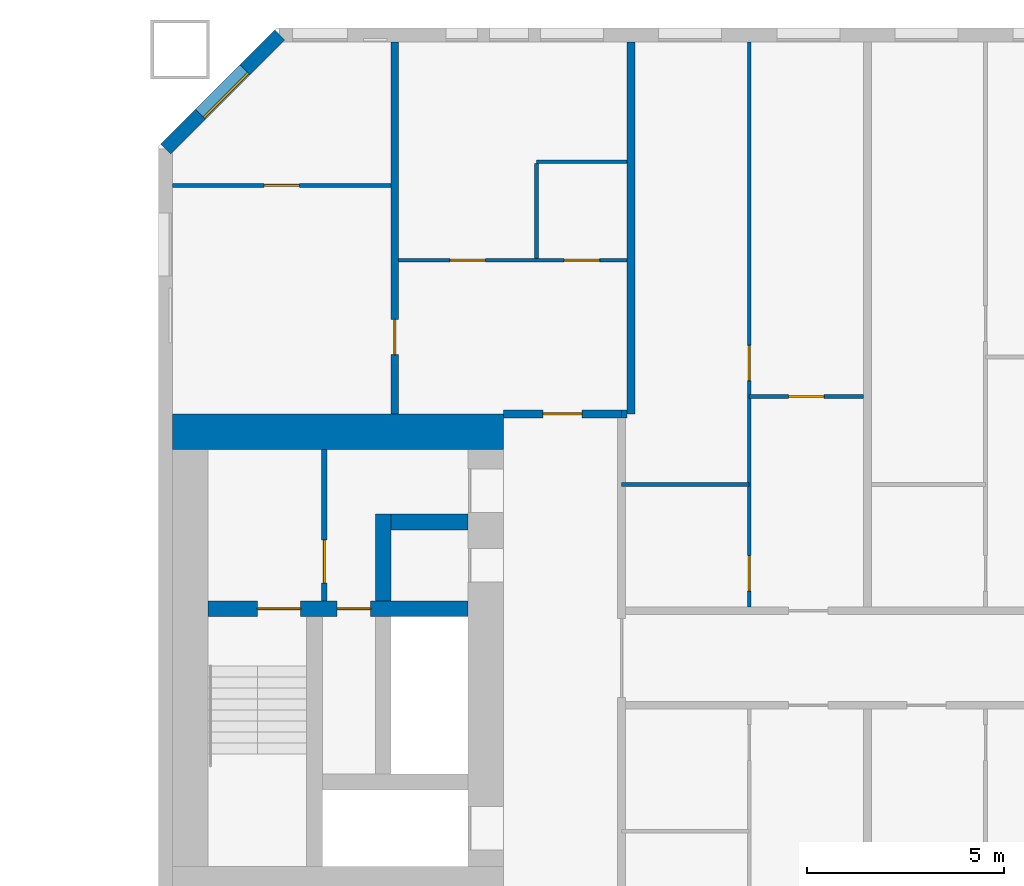
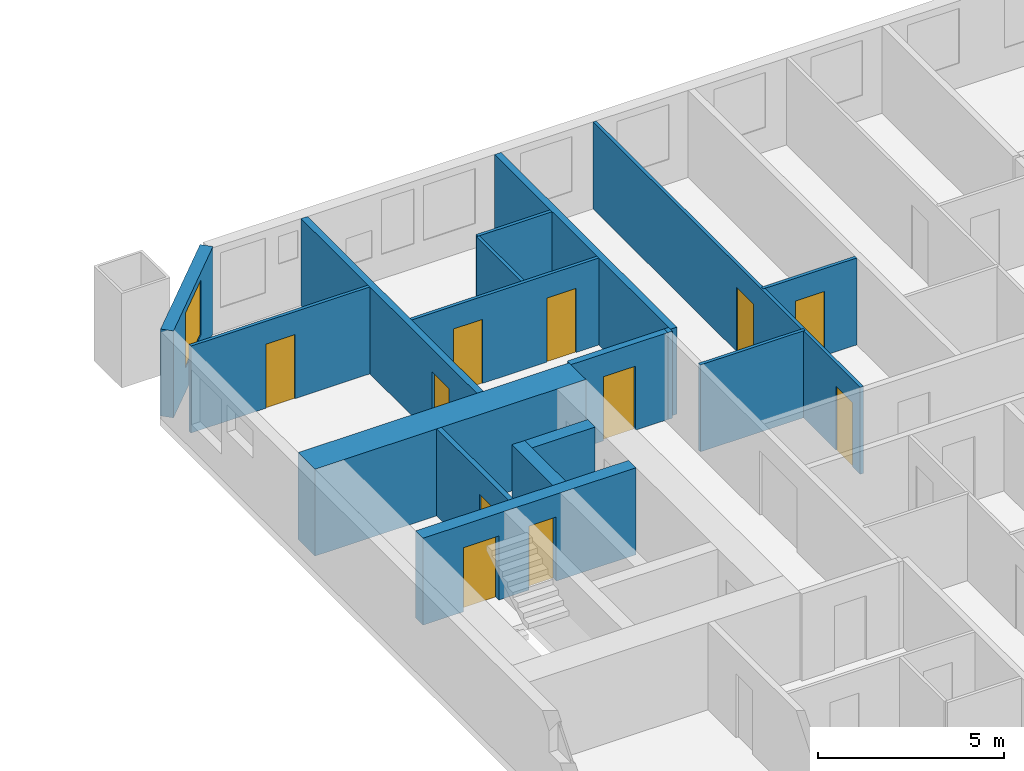
# One storey, part 10 of 17: 17 walls, 11 doors, 1 window, 12 openings.
"""IFC4 building model written with IfcOpenShell, lengths in metres."""

from ifc_helpers import new_model, si_unit, direction, frame, frame_2d, origin, place, context, subcontext, project, spatial, rectangle, extrude, material, layer, layer_set, type_object, element, fill, save


model = new_model("IFC4")

# Units and contexts
model_context = context("Model", 3, precision=1e-05, world=origin(), true_north=direction((0.0, 1.0)))
body_context = subcontext(model_context, "Body", "Model", "MODEL_VIEW")
ifc_project = project(units=[si_unit("LENGTHUNIT", "METRE"), si_unit("AREAUNIT", "SQUARE_METRE"), si_unit("VOLUMEUNIT", "CUBIC_METRE"), si_unit("PLANEANGLEUNIT", "RADIAN"), si_unit("MASSUNIT", "GRAM", prefix="KILO")], contexts=[model_context])

# Site, building, storey
site_placement = place(None, origin())
site = spatial("IfcSite", under=ifc_project, at=site_placement, CompositionType="ELEMENT")
building_placement = place(site_placement, origin())
building = spatial("IfcBuilding", under=site, at=building_placement, Name="Tuart Gate Housing", CompositionType="ELEMENT")
storey_placement = place(building_placement, frame((0.0, 0.0, 22.60009765625)))
storey = spatial("IfcBuildingStorey", under=building, at=storey_placement, Name="L05", CompositionType="ELEMENT", Elevation=22.60009765625)

# Wall, opening, window
ifc_material_1 = material(Name="Brick", Category="masonry")
ifc_layer_1 = layer(ifc_material_1, 0.360107421875)
ifc_layer_set_1 = layer_set([ifc_layer_1], Name="Brick pier and spandrel wall 360")
wall_type_1 = type_object("IfcWallType", Name="Brick pier and spandrel wall 360", PredefinedType="STANDARD", material=ifc_layer_set_1)
wall_1_placement = place(storey_placement, frame((134.07470703125, 85.820068359375, 0.0), z_axis=(0.0, 0.0, 1.0), x_axis=(-0.707106781187, -0.707106781187, 0.0)))
wall_1 = element("IfcWall", 1, at=wall_1_placement, inside=storey, type_object=wall_type_1, Name="External wall B-NW L05", PredefinedType="STANDARD", context=body_context, shape_type="SweptSolid", body=[
    extrude(rectangle(XDim=4.09375, YDim=0.360107421875, at=frame_2d((2.046875, 0.0))), origin(), (0.0, 0.0, 1.0), 2.849853515625),
])
opening_1_placement = place(wall_1_placement, frame((1.2470703125, 0.0, 0.800048828125)))
opening_1 = element("IfcOpeningElement", 2, at=opening_1_placement, cuts=wall_1, Name="Opening W1", PredefinedType="OPENING", context=body_context, shape_type="SweptSolid", body=[
    extrude(rectangle(XDim=1.60009765625, YDim=1.800048828125, at=frame_2d((0.800048828125, 0.89990234375))), frame((0.0, 0.18994140625, 0.0), z_axis=(0.0, -1.0, 0.0), x_axis=(1.0, 0.0, 0.0)), (0.0, 0.0, 1.0), 0.380126953125),
])
ifc_material_2 = material(Name="Aluminium frame with clear glass", Category="aluminium")
window_type = type_object("IfcWindowType", Name="Punched window 1600 x 1800", PartitioningType="SINGLE_PANEL", PredefinedType="WINDOW", material=ifc_material_2)
window_placement = place(opening_1_placement, origin())
window = element("IfcWindow", 3, at=window_placement, inside=storey, type_object=window_type, Name="Window W1", OverallHeight=1.800048828125, OverallWidth=1.60009765625, PartitioningType="SINGLE_PANEL", PredefinedType="WINDOW", context=body_context, shape_type="SweptSolid", body=[
    extrude(rectangle(XDim=1.60009765625, YDim=1.800048828125, at=frame_2d((0.800048828125, 0.89990234375))), frame((0.0, 0.150146484375, 0.0), z_axis=(0.0, -1.0, 0.0), x_axis=(1.0, 0.0, 0.0)), (0.0, 0.0, 1.0), 0.06005859375),
])
fill(opening_1, window)

# Wall, opening, door
ifc_material_3 = material(Name="Plasterboard partition")
ifc_layer_2 = layer(ifc_material_3, 0.14990234375)
ifc_layer_set_2 = layer_set([ifc_layer_2], Name="Core partition 150")
wall_type_2 = type_object("IfcWallType", Name="Core partition 150", PredefinedType="PARTITIONING", material=ifc_layer_set_2)
wall_2_placement = place(storey_placement, frame((135.2099609375, 71.449951171875, 0.0), z_axis=(0.0, 0.0, 1.0), x_axis=(0.0, 1.0, 0.0)))
wall_2 = element("IfcWall", 4, at=wall_2_placement, inside=storey, type_object=wall_type_2, Name="Core partition BG.6", PredefinedType="PARTITIONING", context=body_context, shape_type="SweptSolid", body=[
    extrude(rectangle(XDim=3.85009765625, YDim=0.14990234375, at=frame_2d((1.925048828125, 0.0))), origin(), (0.0, 0.0, 1.0), 2.849853515625),
])
opening_2_placement = place(wall_2_placement, frame((0.449951171875, 0.0, 0.0)))
opening_2 = element("IfcOpeningElement", 5, at=opening_2_placement, cuts=wall_2, Name="Opening D429", PredefinedType="OPENING", context=body_context, shape_type="SweptSolid", body=[
    extrude(rectangle(XDim=1.10009765625, YDim=2.10009765625, at=frame_2d((0.550048828125, 1.050048828125))), frame((0.0, 0.0849609375, 0.0), z_axis=(0.0, -1.0, 0.0), x_axis=(1.0, 0.0, 0.0)), (0.0, 0.0, 1.0), 0.169921875),
])
ifc_material_4 = material(Name="Steel fire door", Category="steel")
door_type_1 = type_object("IfcDoorType", Name="Lobby door 1100 x 2100", OperationType="SINGLE_SWING_LEFT", PredefinedType="DOOR", material=ifc_material_4)
door_1_placement = place(opening_2_placement, origin())
door_1 = element("IfcDoor", 6, at=door_1_placement, inside=storey, type_object=door_type_1, Name="Smoke lobby door BG.KD", OperationType="SINGLE_SWING_LEFT", OverallHeight=2.10009765625, OverallWidth=1.10009765625, PredefinedType="DOOR", context=body_context, shape_type="SweptSolid", body=[
    extrude(rectangle(XDim=1.10009765625, YDim=2.10009765625, at=frame_2d((0.550048828125, 1.050048828125))), frame((0.0, 0.02490234375, 0.0), z_axis=(0.0, -1.0, 0.0), x_axis=(1.0, 0.0, 0.0)), (0.0, 0.0, 1.0), 0.050048828125),
])
fill(opening_2, door_1)

# Wall, openings, doors
ifc_material_5 = material(Name="Concrete C60", Category="concrete")
ifc_layer_3 = layer(ifc_material_5, 0.39990234375)
ifc_layer_set_3 = layer_set([ifc_layer_3], Name="Core wall 400 C60")
wall_type_3 = type_object("IfcWallType", Name="Core wall 400 C60", PredefinedType="SHEAR", material=ifc_layer_set_3)
wall_3_placement = place(storey_placement, frame((138.860107421875, 71.25, 0.0), z_axis=(0.0, 0.0, 1.0), x_axis=(-1.0, 0.0, 0.0)))
wall_3 = element("IfcWall", 7, at=wall_3_placement, inside=storey, type_object=wall_type_3, Name="Core wall BG.2", PredefinedType="SHEAR", context=body_context, shape_type="SweptSolid", body=[
    extrude(rectangle(XDim=6.60009765625, YDim=0.39990234375, at=frame_2d((3.300048828125, 0.0))), origin(), (0.0, 0.0, 1.0), 2.849853515625),
])
opening_3_placement = place(wall_3_placement, frame((4.25, 0.0, 0.0)))
opening_3 = element("IfcOpeningElement", 8, at=opening_3_placement, cuts=wall_3, Name="Opening D431", PredefinedType="OPENING", context=body_context, shape_type="SweptSolid", body=[
    extrude(rectangle(XDim=1.10009765625, YDim=2.10009765625, at=frame_2d((0.550048828125, 1.050048828125))), frame((0.0, 0.2099609375, 0.0), z_axis=(0.0, -1.0, 0.0), x_axis=(1.0, 0.0, 0.0)), (0.0, 0.0, 1.0), 0.419921875),
])
opening_4_placement = place(wall_3_placement, frame((2.47509765625, 0.0, 0.0)))
opening_4 = element("IfcOpeningElement", 9, at=opening_4_placement, cuts=wall_3, Name="Opening D430", PredefinedType="OPENING", context=body_context, shape_type="SweptSolid", body=[
    extrude(rectangle(XDim=0.85009765625, YDim=2.10009765625, at=frame_2d((0.425048828125, 1.050048828125))), frame((0.0, 0.2099609375, 0.0), z_axis=(0.0, -1.0, 0.0), x_axis=(1.0, 0.0, 0.0)), (0.0, 0.0, 1.0), 0.419921875),
])
ifc_material_6 = material(Name="Steel fire door", Category="steel")
door_type_2 = type_object("IfcDoorType", Name="Riser door 850 x 2100", OperationType="SINGLE_SWING_LEFT", PredefinedType="DOOR", material=ifc_material_6)
door_2_placement = place(opening_4_placement, origin())
door_2 = element("IfcDoor", 10, at=door_2_placement, inside=storey, type_object=door_type_2, Name="Service room door BG.W1", OperationType="SINGLE_SWING_LEFT", OverallHeight=2.10009765625, OverallWidth=0.85009765625, PredefinedType="DOOR", context=body_context, shape_type="SweptSolid", body=[
    extrude(rectangle(XDim=0.85009765625, YDim=2.10009765625, at=frame_2d((0.425048828125, 1.050048828125))), frame((0.0, 0.02490234375, 0.0), z_axis=(0.0, -1.0, 0.0), x_axis=(1.0, 0.0, 0.0)), (0.0, 0.0, 1.0), 0.050048828125),
])
fill(opening_4, door_2)
ifc_material_7 = material(Name="Steel fire door", Category="steel")
door_type_3 = type_object("IfcDoorType", Name="Stair door 1100 x 2100", OperationType="SINGLE_SWING_LEFT", PredefinedType="DOOR", material=ifc_material_7)
door_3_placement = place(opening_3_placement, origin())
door_3 = element("IfcDoor", 11, at=door_3_placement, inside=storey, type_object=door_type_3, Name="Stair door BG.SD", OperationType="SINGLE_SWING_LEFT", OverallHeight=2.10009765625, OverallWidth=1.10009765625, PredefinedType="DOOR", context=body_context, shape_type="SweptSolid", body=[
    extrude(rectangle(XDim=1.10009765625, YDim=2.10009765625, at=frame_2d((0.550048828125, 1.050048828125))), frame((0.0, 0.02490234375, 0.0), z_axis=(0.0, -1.0, 0.0), x_axis=(1.0, 0.0, 0.0)), (0.0, 0.0, 1.0), 0.050048828125),
])
fill(opening_3, door_3)

# Walls
wall_4_placement = place(storey_placement, frame((138.860107421875, 73.449951171875, 0.0), z_axis=(0.0, 0.0, 1.0), x_axis=(-1.0, 0.0, 0.0)))
element("IfcWall", 12, at=wall_4_placement, inside=storey, type_object=wall_type_3, Name="Core wall BG.3", PredefinedType="SHEAR", context=body_context, shape_type="SweptSolid", body=[
    extrude(rectangle(XDim=1.9501953125, YDim=0.39990234375, at=frame_2d((0.97509765625, 0.0))), origin(), (0.0, 0.0, 1.0), 2.849853515625),
])
wall_5_placement = place(storey_placement, frame((136.7099609375, 71.449951171875, 0.0), z_axis=(0.0, 0.0, 1.0), x_axis=(0.0, 1.0, 0.0)))
element("IfcWall", 13, at=wall_5_placement, inside=storey, type_object=wall_type_3, Name="Core wall BG.5", PredefinedType="SHEAR", context=body_context, shape_type="SweptSolid", body=[
    extrude(rectangle(XDim=2.199951171875, YDim=0.39990234375, at=frame_2d((1.10009765625, 0.0))), origin(), (0.0, 0.0, 1.0), 2.849853515625),
])
ifc_material_8 = material(Name="Concrete C60", Category="concrete")
ifc_layer_4 = layer(ifc_material_8, 0.89990234375)
ifc_layer_set_4 = layer_set([ifc_layer_4], Name="Core wall 900 C60")
wall_type_4 = type_object("IfcWallType", Name="Core wall 900 C60", PredefinedType="SHEAR", material=ifc_layer_set_4)
wall_6_placement = place(storey_placement, frame((139.760009765625, 75.75, 0.0), z_axis=(0.0, 0.0, 1.0), x_axis=(-1.0, 0.0, 0.0)))
element("IfcWall", 14, at=wall_6_placement, inside=storey, type_object=wall_type_4, Name="Core wall BG north", PredefinedType="SHEAR", context=body_context, shape_type="SweptSolid", body=[
    extrude(rectangle(XDim=8.39990234375, YDim=0.89990234375, at=frame_2d((4.199951171875, 0.0))), origin(), (0.0, 0.0, 1.0), 2.849853515625),
])

# Wall, opening, door
ifc_material_9 = material(Name="Concrete masonry 15 MPa", Category="masonry")
ifc_layer_5 = layer(ifc_material_9, 0.199951171875)
ifc_layer_set_5 = layer_set([ifc_layer_5], Name="Enclosure wall masonry 200")
wall_type_5 = type_object("IfcWallType", Name="Enclosure wall masonry 200", PredefinedType="PARTITIONING", material=ifc_layer_set_5)
wall_7_placement = place(storey_placement, frame((139.760009765625, 76.199951171875, 0.0), z_axis=(0.0, 0.0, 1.0), x_axis=(1.0, 0.0, 0.0)))
wall_7 = element("IfcWall", 15, at=wall_7_placement, inside=storey, type_object=wall_type_5, Name="Enclosure wall masonry 200", PredefinedType="PARTITIONING", context=body_context, shape_type="SweptSolid", body=[
    extrude(rectangle(XDim=3.0, YDim=0.199951171875, at=frame_2d((1.5, 0.0))), origin(), (0.0, 0.0, 1.0), 2.849853515625),
])
opening_5_placement = place(wall_7_placement, frame((1.0, 0.0, 0.0)))
opening_5 = element("IfcOpeningElement", 16, at=opening_5_placement, cuts=wall_7, Name="Opening D426", PredefinedType="OPENING", context=body_context, shape_type="SweptSolid", body=[
    extrude(rectangle(XDim=1.0, YDim=2.10009765625, at=frame_2d((0.5, 1.050048828125))), frame((0.0, 0.10986328125, 0.0), z_axis=(0.0, -1.0, 0.0), x_axis=(1.0, 0.0, 0.0)), (0.0, 0.0, 1.0), 0.219970703125),
])
ifc_material_10 = material(Name="Timber door leaf in steel frame", Category="steel")
door_type_4 = type_object("IfcDoorType", Name="Flat entrance door 1000 RH", OperationType="SINGLE_SWING_RIGHT", PredefinedType="DOOR", material=ifc_material_10)
door_4_placement = place(opening_5_placement, origin())
door_4 = element("IfcDoor", 17, at=door_4_placement, inside=storey, type_object=door_type_4, Name="Flat entrance door", OperationType="SINGLE_SWING_RIGHT", OverallHeight=2.10009765625, OverallWidth=1.0, PredefinedType="DOOR", context=body_context, shape_type="SweptSolid", body=[
    extrude(rectangle(XDim=1.0, YDim=2.10009765625, at=frame_2d((0.5, 1.050048828125))), frame((0.0, 0.02490234375, 0.0), z_axis=(0.0, -1.0, 0.0), x_axis=(1.0, 0.0, 0.0)), (0.0, 0.0, 1.0), 0.050048828125),
])
fill(opening_5, door_4)

# Wall
ifc_material_11 = material(Name="Gypsum board on steel studs", Category="steel")
ifc_layer_6 = layer(ifc_material_11, 0.10009765625)
ifc_layer_set_6 = layer_set([ifc_layer_6], Name="Partition 100")
wall_type_6 = type_object("IfcWallType", Name="Partition 100", PredefinedType="PARTITIONING", material=ifc_layer_set_6)
wall_8_placement = place(storey_placement, frame((142.760009765625, 74.39990234375, 0.0), z_axis=(0.0, 0.0, 1.0), x_axis=(1.0, 0.0, 0.0)))
element("IfcWall", 18, at=wall_8_placement, inside=storey, type_object=wall_type_6, Name="Partition 100", PredefinedType="PARTITIONING", context=body_context, shape_type="SweptSolid", body=[
    extrude(rectangle(XDim=3.239990234375, YDim=0.10009765625, at=frame_2d((1.6201171875, 0.0))), origin(), (0.0, 0.0, 1.0), 2.849853515625),
])

# Wall, opening, door
wall_9_placement = place(storey_placement, frame((146.0, 76.639892578125, 0.0), z_axis=(0.0, 0.0, 1.0), x_axis=(1.0, 0.0, 0.0)))
wall_9 = element("IfcWall", 19, at=wall_9_placement, inside=storey, type_object=wall_type_6, Name="Partition 100", PredefinedType="PARTITIONING", context=body_context, shape_type="SweptSolid", body=[
    extrude(rectangle(XDim=2.89990234375, YDim=0.10009765625, at=frame_2d((1.449951171875, 0.0))), origin(), (0.0, 0.0, 1.0), 2.849853515625),
])
opening_6_placement = place(wall_9_placement, frame((1.0, 0.0, 0.0)))
opening_6 = element("IfcOpeningElement", 20, at=opening_6_placement, cuts=wall_9, Name="Opening D425", PredefinedType="OPENING", context=body_context, shape_type="SweptSolid", body=[
    extrude(rectangle(XDim=0.89990234375, YDim=2.10009765625, at=frame_2d((0.449951171875, 1.050048828125))), frame((0.0, 0.06005859375, 0.0), z_axis=(0.0, -1.0, 0.0), x_axis=(1.0, 0.0, 0.0)), (0.0, 0.0, 1.0), 0.1201171875),
])
ifc_material_12 = material(Name="Timber door leaf in steel frame", Category="steel")
door_type_5 = type_object("IfcDoorType", Name="Internal door 900 RH", OperationType="SINGLE_SWING_RIGHT", PredefinedType="DOOR", material=ifc_material_12)
door_5_placement = place(opening_6_placement, frame((0.89990234375, 0.0, 0.0), z_axis=(0.0, 0.0, 1.0), x_axis=(-1.0, 0.0, 0.0)))
door_5 = element("IfcDoor", 21, at=door_5_placement, inside=storey, type_object=door_type_5, Name="Internal door", OperationType="SINGLE_SWING_RIGHT", OverallHeight=2.10009765625, OverallWidth=0.89990234375, PredefinedType="DOOR", context=body_context, shape_type="SweptSolid", body=[
    extrude(rectangle(XDim=0.89990234375, YDim=2.10009765625, at=frame_2d((0.449951171875, 1.050048828125))), frame((0.0, 0.025146484375, 0.0), z_axis=(0.0, -1.0, 0.0), x_axis=(1.0, 0.0, 0.0)), (0.0, 0.0, 1.0), 0.050048828125),
])
fill(opening_6, door_5)

# Wall, openings, doors
wall_10_placement = place(storey_placement, frame((137.10009765625, 80.10009765625, 0.0), z_axis=(0.0, 0.0, 1.0), x_axis=(1.0, 0.0, 0.0)))
wall_10 = element("IfcWall", 22, at=wall_10_placement, inside=storey, type_object=wall_type_6, Name="Partition 100", PredefinedType="PARTITIONING", context=body_context, shape_type="SweptSolid", body=[
    extrude(rectangle(XDim=5.7998046875, YDim=0.10009765625, at=frame_2d((2.89990234375, 0.0))), origin(), (0.0, 0.0, 1.0), 2.849853515625),
])
opening_7_placement = place(wall_10_placement, frame((1.300048828125, 0.0, 0.0)))
opening_7 = element("IfcOpeningElement", 23, at=opening_7_placement, cuts=wall_10, Name="Opening D417", PredefinedType="OPENING", context=body_context, shape_type="SweptSolid", body=[
    extrude(rectangle(XDim=0.89990234375, YDim=2.10009765625, at=frame_2d((0.449951171875, 1.050048828125))), frame((0.0, 0.06005859375, 0.0), z_axis=(0.0, -1.0, 0.0), x_axis=(1.0, 0.0, 0.0)), (0.0, 0.0, 1.0), 0.1201171875),
])
opening_8_placement = place(wall_10_placement, frame((4.199951171875, 0.0, 0.0)))
opening_8 = element("IfcOpeningElement", 24, at=opening_8_placement, cuts=wall_10, Name="Opening D416", PredefinedType="OPENING", context=body_context, shape_type="SweptSolid", body=[
    extrude(rectangle(XDim=0.89990234375, YDim=2.10009765625, at=frame_2d((0.449951171875, 1.050048828125))), frame((0.0, 0.06005859375, 0.0), z_axis=(0.0, -1.0, 0.0), x_axis=(1.0, 0.0, 0.0)), (0.0, 0.0, 1.0), 0.1201171875),
])
ifc_material_13 = material(Name="Timber door leaf in steel frame", Category="steel")
door_type_6 = type_object("IfcDoorType", Name="Bathroom door 900", OperationType="SINGLE_SWING_LEFT", PredefinedType="DOOR", material=ifc_material_13)
door_6_placement = place(opening_8_placement, origin())
door_6 = element("IfcDoor", 25, at=door_6_placement, inside=storey, type_object=door_type_6, Name="Bathroom door", OperationType="SINGLE_SWING_LEFT", OverallHeight=2.10009765625, OverallWidth=0.89990234375, PredefinedType="DOOR", context=body_context, shape_type="SweptSolid", body=[
    extrude(rectangle(XDim=0.89990234375, YDim=2.10009765625, at=frame_2d((0.449951171875, 1.050048828125))), frame((0.0, 0.02490234375, 0.0), z_axis=(0.0, -1.0, 0.0), x_axis=(1.0, 0.0, 0.0)), (0.0, 0.0, 1.0), 0.050048828125),
])
fill(opening_8, door_6)
door_7_placement = place(opening_7_placement, origin())
door_7 = element("IfcDoor", 26, at=door_7_placement, inside=storey, type_object=door_type_5, Name="Internal door", OperationType="SINGLE_SWING_RIGHT", OverallHeight=2.10009765625, OverallWidth=0.89990234375, PredefinedType="DOOR", context=body_context, shape_type="SweptSolid", body=[
    extrude(rectangle(XDim=0.89990234375, YDim=2.10009765625, at=frame_2d((0.449951171875, 1.050048828125))), frame((0.0, 0.02490234375, 0.0), z_axis=(0.0, -1.0, 0.0), x_axis=(1.0, 0.0, 0.0)), (0.0, 0.0, 1.0), 0.050048828125),
])
fill(opening_7, door_7)

# Wall, opening, door
wall_11_placement = place(storey_placement, frame((131.360107421875, 82.0, 0.0), z_axis=(0.0, 0.0, 1.0), x_axis=(1.0, 0.0, 0.0)))
wall_11 = element("IfcWall", 27, at=wall_11_placement, inside=storey, type_object=wall_type_6, Name="Partition 100", PredefinedType="PARTITIONING", context=body_context, shape_type="SweptSolid", body=[
    extrude(rectangle(XDim=5.539794921875, YDim=0.10009765625, at=frame_2d((2.77001953125, 0.0))), origin(), (0.0, 0.0, 1.0), 2.849853515625),
])
opening_9_placement = place(wall_11_placement, frame((2.320068359375, 0.0, 0.0)))
opening_9 = element("IfcOpeningElement", 28, at=opening_9_placement, cuts=wall_11, Name="Opening D414", PredefinedType="OPENING", context=body_context, shape_type="SweptSolid", body=[
    extrude(rectangle(XDim=0.89990234375, YDim=2.10009765625, at=frame_2d((0.449951171875, 1.050048828125))), frame((0.0, 0.06005859375, 0.0), z_axis=(0.0, -1.0, 0.0), x_axis=(1.0, 0.0, 0.0)), (0.0, 0.0, 1.0), 0.1201171875),
])
ifc_material_14 = material(Name="Timber door leaf in steel frame", Category="steel")
door_type_7 = type_object("IfcDoorType", Name="Internal door 900", OperationType="SINGLE_SWING_LEFT", PredefinedType="DOOR", material=ifc_material_14)
door_8_placement = place(opening_9_placement, origin())
door_8 = element("IfcDoor", 29, at=door_8_placement, inside=storey, type_object=door_type_7, Name="Internal door", OperationType="SINGLE_SWING_LEFT", OverallHeight=2.10009765625, OverallWidth=0.89990234375, PredefinedType="DOOR", context=body_context, shape_type="SweptSolid", body=[
    extrude(rectangle(XDim=0.89990234375, YDim=2.10009765625, at=frame_2d((0.449951171875, 1.050048828125))), frame((0.0, 0.02490234375, 0.0), z_axis=(0.0, -1.0, 0.0), x_axis=(1.0, 0.0, 0.0)), (0.0, 0.0, 1.0), 0.050048828125),
])
fill(opening_9, door_8)

# Walls
wall_12_placement = place(storey_placement, frame((140.60009765625, 82.60009765625, 0.0), z_axis=(0.0, 0.0, 1.0), x_axis=(1.0, 0.0, 0.0)))
element("IfcWall", 30, at=wall_12_placement, inside=storey, type_object=wall_type_6, Name="Partition 100", PredefinedType="PARTITIONING", context=body_context, shape_type="SweptSolid", body=[
    extrude(rectangle(XDim=2.2998046875, YDim=0.10009765625, at=frame_2d((1.14990234375, 0.0))), origin(), (0.0, 0.0, 1.0), 2.849853515625),
])
wall_13_placement = place(storey_placement, frame((140.60009765625, 80.14990234375, 0.0), z_axis=(0.0, 0.0, 1.0), x_axis=(0.0, 1.0, 0.0)))
element("IfcWall", 31, at=wall_13_placement, inside=storey, type_object=wall_type_6, Name="Partition 100", PredefinedType="PARTITIONING", context=body_context, shape_type="SweptSolid", body=[
    extrude(rectangle(XDim=2.400146484375, YDim=0.10009765625, at=frame_2d((1.2001953125, 0.0))), origin(), (0.0, 0.0, 1.0), 2.849853515625),
])

# Wall, openings, doors
wall_14_placement = place(storey_placement, frame((146.0, 71.300048828125, 0.0), z_axis=(0.0, 0.0, 1.0), x_axis=(0.0, 1.0, 0.0)))
wall_14 = element("IfcWall", 32, at=wall_14_placement, inside=storey, type_object=wall_type_6, Name="Partition 100", PredefinedType="PARTITIONING", context=body_context, shape_type="SweptSolid", body=[
    extrude(rectangle(XDim=14.33984375, YDim=0.10009765625, at=frame_2d((7.169921875, 0.0))), origin(), (0.0, 0.0, 1.0), 2.849853515625),
])
opening_10_placement = place(wall_14_placement, frame((5.739990234375, 0.0, 0.0)))
opening_10 = element("IfcOpeningElement", 33, at=opening_10_placement, cuts=wall_14, Name="Opening D421", PredefinedType="OPENING", context=body_context, shape_type="SweptSolid", body=[
    extrude(rectangle(XDim=0.89990234375, YDim=2.10009765625, at=frame_2d((0.449951171875, 1.050048828125))), frame((0.0, 0.06005859375, 0.0), z_axis=(0.0, -1.0, 0.0), x_axis=(1.0, 0.0, 0.0)), (0.0, 0.0, 1.0), 0.1201171875),
])
opening_11_placement = place(wall_14_placement, frame((0.39990234375, 0.0, 0.0)))
opening_11 = element("IfcOpeningElement", 34, at=opening_11_placement, cuts=wall_14, Name="Opening D420", PredefinedType="OPENING", context=body_context, shape_type="SweptSolid", body=[
    extrude(rectangle(XDim=0.89990234375, YDim=2.10009765625, at=frame_2d((0.449951171875, 1.050048828125))), frame((0.0, 0.06005859375, 0.0), z_axis=(0.0, -1.0, 0.0), x_axis=(1.0, 0.0, 0.0)), (0.0, 0.0, 1.0), 0.1201171875),
])
door_9_placement = place(opening_11_placement, origin())
door_9 = element("IfcDoor", 35, at=door_9_placement, inside=storey, type_object=door_type_6, Name="Bathroom door", OperationType="SINGLE_SWING_LEFT", OverallHeight=2.10009765625, OverallWidth=0.89990234375, PredefinedType="DOOR", context=body_context, shape_type="SweptSolid", body=[
    extrude(rectangle(XDim=0.89990234375, YDim=2.10009765625, at=frame_2d((0.449951171875, 1.050048828125))), frame((0.0, 0.02490234375, 0.0), z_axis=(0.0, -1.0, 0.0), x_axis=(1.0, 0.0, 0.0)), (0.0, 0.0, 1.0), 0.050048828125),
])
fill(opening_11, door_9)
door_10_placement = place(opening_10_placement, origin())
door_10 = element("IfcDoor", 36, at=door_10_placement, inside=storey, type_object=door_type_7, Name="Internal door", OperationType="SINGLE_SWING_LEFT", OverallHeight=2.10009765625, OverallWidth=0.89990234375, PredefinedType="DOOR", context=body_context, shape_type="SweptSolid", body=[
    extrude(rectangle(XDim=0.89990234375, YDim=2.10009765625, at=frame_2d((0.449951171875, 1.050048828125))), frame((0.0, 0.02490234375, 0.0), z_axis=(0.0, -1.0, 0.0), x_axis=(1.0, 0.0, 0.0)), (0.0, 0.0, 1.0), 0.050048828125),
])
fill(opening_10, door_10)

# Wall, opening, door
ifc_material_15 = material(Name="Concrete C40", Category="concrete")
ifc_layer_7 = layer(ifc_material_15, 0.199951171875)
ifc_layer_set_7 = layer_set([ifc_layer_7], Name="Party wall concrete C40 200")
wall_type_7 = type_object("IfcWallType", Name="Party wall concrete C40 200", PredefinedType="SOLIDWALL", material=ifc_layer_set_7)
wall_15_placement = place(storey_placement, frame((137.0, 76.199951171875, 0.0), z_axis=(0.0, 0.0, 1.0), x_axis=(0.0, 1.0, 0.0)))
wall_15 = element("IfcWall", 37, at=wall_15_placement, inside=storey, type_object=wall_type_7, Name="Party wall concrete C40 200", PredefinedType="SOLIDWALL", context=body_context, shape_type="SweptSolid", body=[
    extrude(rectangle(XDim=9.43994140625, YDim=0.199951171875, at=frame_2d((4.719970703125, 0.0))), origin(), (0.0, 0.0, 1.0), 2.849853515625),
])
opening_12_placement = place(wall_15_placement, frame((1.5, 0.0, 0.0)))
opening_12 = element("IfcOpeningElement", 38, at=opening_12_placement, cuts=wall_15, Name="Opening D415", PredefinedType="OPENING", context=body_context, shape_type="SweptSolid", body=[
    extrude(rectangle(XDim=0.89990234375, YDim=2.10009765625, at=frame_2d((0.449951171875, 1.050048828125))), frame((0.0, 0.10986328125, 0.0), z_axis=(0.0, -1.0, 0.0), x_axis=(1.0, 0.0, 0.0)), (0.0, 0.0, 1.0), 0.219970703125),
])
door_11_placement = place(opening_12_placement, frame((0.89990234375, 0.0, 0.0), z_axis=(0.0, 0.0, 1.0), x_axis=(-1.0, 0.0, 0.0)))
door_11 = element("IfcDoor", 39, at=door_11_placement, inside=storey, type_object=door_type_5, Name="Internal door", OperationType="SINGLE_SWING_RIGHT", OverallHeight=2.10009765625, OverallWidth=0.89990234375, PredefinedType="DOOR", context=body_context, shape_type="SweptSolid", body=[
    extrude(rectangle(XDim=0.89990234375, YDim=2.10009765625, at=frame_2d((0.449951171875, 1.050048828125))), frame((0.0, 0.025146484375, 0.0), z_axis=(0.0, -1.0, 0.0), x_axis=(1.0, 0.0, 0.0)), (0.0, 0.0, 1.0), 0.050048828125),
])
fill(opening_12, door_11)

# Walls
wall_16_placement = place(storey_placement, frame((143.0, 76.199951171875, 0.0), z_axis=(0.0, 0.0, 1.0), x_axis=(0.0, 1.0, 0.0)))
element("IfcWall", 40, at=wall_16_placement, inside=storey, type_object=wall_type_7, Name="Party wall concrete C40 200", PredefinedType="SOLIDWALL", context=body_context, shape_type="SweptSolid", body=[
    extrude(rectangle(XDim=9.43994140625, YDim=0.199951171875, at=frame_2d((4.719970703125, 0.0))), origin(), (0.0, 0.0, 1.0), 2.849853515625),
])
ifc_material_16 = material(Name="Concrete masonry 15 MPa", Category="masonry")
ifc_layer_8 = layer(ifc_material_16, 0.199951171875)
ifc_layer_set_8 = layer_set([ifc_layer_8], Name="Party wall masonry 200")
wall_type_8 = type_object("IfcWallType", Name="Party wall masonry 200", PredefinedType="PARTITIONING", material=ifc_layer_set_8)
wall_17_placement = place(storey_placement, frame((142.760009765625, 76.199951171875, 0.0), z_axis=(0.0, 0.0, 1.0), x_axis=(1.0, 0.0, 0.0)))
element("IfcWall", 41, at=wall_17_placement, inside=storey, type_object=wall_type_8, Name="Party wall masonry 200", PredefinedType="PARTITIONING", context=body_context, shape_type="SweptSolid", body=[
    extrude(rectangle(XDim=0.139892578125, YDim=0.199951171875, at=frame_2d((0.06982421875, 0.0))), origin(), (0.0, 0.0, 1.0), 2.849853515625),
])

save(model, "model.ifc")
